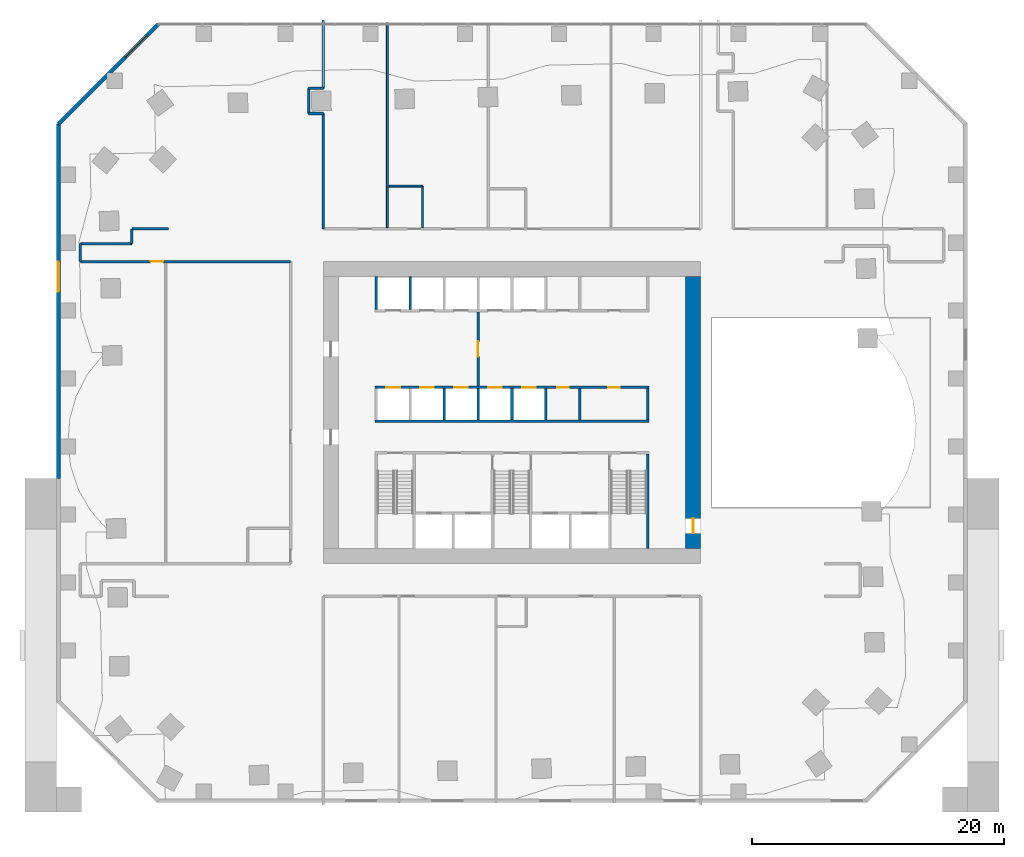
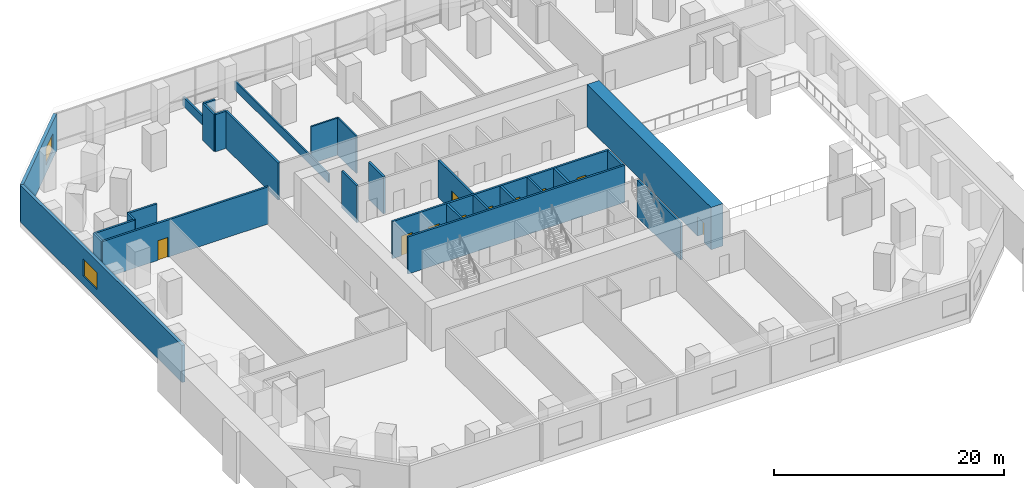
# One storey, part 7 of 12: 28 walls, 10 doors, 2 windows, 12 openings.
"""IFC4 building model written with IfcOpenShell, lengths in metres."""

from ifc_helpers import new_model, si_unit, direction, frame, frame_2d, origin, place, context, subcontext, project, spatial, rectangle, extrude, material, layer, layer_set, type_object, element, fill, save


model = new_model("IFC4")

# Units and contexts
model_context = context("Model", 3, precision=1e-05, world=origin(), true_north=direction((0.0, 1.0)))
body_context = subcontext(model_context, "Body", "Model", "MODEL_VIEW")
ifc_project = project(units=[si_unit("LENGTHUNIT", "METRE"), si_unit("AREAUNIT", "SQUARE_METRE"), si_unit("VOLUMEUNIT", "CUBIC_METRE"), si_unit("PLANEANGLEUNIT", "RADIAN"), si_unit("MASSUNIT", "GRAM", prefix="KILO")], contexts=[model_context])

# Site, building, storey
site_placement = place(None, origin())
site = spatial("IfcSite", under=ifc_project, at=site_placement, CompositionType="ELEMENT")
building_placement = place(site_placement, origin())
building = spatial("IfcBuilding", under=site, at=building_placement, Name="Mangrove Gate Tower", CompositionType="ELEMENT")
storey_placement = place(building_placement, frame((0.0, 0.0, 25.0)))
storey = spatial("IfcBuildingStorey", under=building, at=storey_placement, Name="L05", CompositionType="ELEMENT", Elevation=25.0)

# Wall, opening, door
ifc_material_1 = material(Name="Concrete C32/40", Category="concrete")
ifc_layer_1 = layer(ifc_material_1, 0.199951171875)
ifc_layer_set_1 = layer_set([ifc_layer_1], Name="Core lobby wall 200 C32/40")
wall_type_1 = type_object("IfcWallType", Name="Core lobby wall 200 C32/40", PredefinedType="STANDARD", material=ifc_layer_set_1)
wall_1_placement = place(storey_placement, frame((-2.699951171875, 2.10009765625, 0.0), z_axis=(0.0, 0.0, 1.0), x_axis=(0.0, 1.0, 0.0)))
wall_1 = element("IfcWall", 1, at=wall_1_placement, inside=storey, type_object=wall_type_1, Name="WALL-L05-CORE-35", PredefinedType="STANDARD", context=body_context, shape_type="SweptSolid", body=[
    extrude(rectangle(XDim=5.89990234375, YDim=0.199951171875, at=frame_2d((2.949951171875, 0.0))), origin(), (0.0, 0.0, 1.0), 3.949951171875),
])
opening_1_placement = place(wall_1_placement, frame((2.35009765625, 0.0, 0.0)))
opening_1 = element("IfcOpeningElement", 2, at=opening_1_placement, cuts=wall_1, Name="Opening FL12", PredefinedType="OPENING", context=body_context, shape_type="SweptSolid", body=[
    extrude(rectangle(XDim=1.199951171875, YDim=2.10009765625, at=frame_2d((0.60009765625, 1.050048828125))), frame((0.0, 0.10986328125, 0.0), z_axis=(0.0, -1.0, 0.0), x_axis=(1.0, 0.0, 0.0)), (0.0, 0.0, 1.0), 0.219970703125),
])
ifc_material_2 = material(Name="Fire-rated steel door set", Category="steel")
door_type_1 = type_object("IfcDoorType", Name="Lobby door FD60 1200x2100", OperationType="SINGLE_SWING_LEFT", PredefinedType="DOOR", material=ifc_material_2)
door_1_placement = place(opening_1_placement, origin())
door_1 = element("IfcDoor", 3, at=door_1_placement, inside=storey, type_object=door_type_1, Name="Lobby door lift lobby partition", OperationType="SINGLE_SWING_LEFT", OverallHeight=2.10009765625, OverallWidth=1.199951171875, PredefinedType="DOOR", context=body_context, shape_type="SweptSolid", body=[
    extrude(rectangle(XDim=1.199951171875, YDim=2.10009765625, at=frame_2d((0.60009765625, 1.050048828125))), frame((0.0, 0.02490234375, 0.0), z_axis=(0.0, -1.0, 0.0), x_axis=(1.0, 0.0, 0.0)), (0.0, 0.0, 1.0), 0.050048828125),
])
fill(opening_1, door_1)

# Walls
ifc_material_3 = material(Name="Concrete C32/40", Category="concrete")
ifc_layer_2 = layer(ifc_material_3, 0.199951171875)
ifc_layer_set_2 = layer_set([ifc_layer_2], Name="Core room wall 200 C32/40")
wall_type_2 = type_object("IfcWallType", Name="Core room wall 200 C32/40", PredefinedType="STANDARD", material=ifc_layer_set_2)
for number, where, z_axis, x_axis, name in (
    (4, (5.39990234375, -0.60009765625, 0.0), (0.0, 0.0, 1.0), (0.0, 1.0, 0.0), "WALL-L05-CORE-25"),
    (5, (10.800048828125, -0.60009765625, 0.0), (0.0, 0.0, 1.0), (0.0, 1.0, 0.0), "WALL-L05-CORE-26"),
):
    element("IfcWall", number, at=place(storey_placement, frame(where, z_axis=z_axis, x_axis=x_axis)), inside=storey, type_object=wall_type_2, Name=name, PredefinedType="STANDARD", context=body_context, shape_type="SweptSolid", body=[
        extrude(rectangle(XDim=2.5, YDim=0.199951171875, at=frame_2d((1.25, 0.0))), origin(), (0.0, 0.0, 1.0), 3.949951171875),
    ])
ifc_material_4 = material(Name="Concrete C70/85", Category="concrete")
ifc_layer_3 = layer(ifc_material_4, 0.199951171875)
ifc_layer_set_3 = layer_set([ifc_layer_3], Name="Core shaft wall 200 C70/85")
wall_type_3 = type_object("IfcWallType", Name="Core shaft wall 200 C70/85", PredefinedType="SHEAR", material=ifc_layer_set_3)
wall_2_placement = place(storey_placement, frame((-10.89990234375, -0.699951171875, 0.0), z_axis=(0.0, 0.0, 1.0), x_axis=(1.0, 0.0, 0.0)))
element("IfcWall", 6, at=wall_2_placement, inside=storey, type_object=wall_type_3, Name="WALL-L05-CORE-6", PredefinedType="SHEAR", context=body_context, shape_type="SweptSolid", body=[
    extrude(rectangle(XDim=21.7998046875, YDim=0.199951171875, at=frame_2d((10.89990234375, 0.0))), origin(), (0.0, 0.0, 1.0), 3.949951171875),
])

# Wall, openings, doors
wall_3_placement = place(storey_placement, frame((-10.89990234375, 2.0, 0.0), z_axis=(0.0, 0.0, 1.0), x_axis=(1.0, 0.0, 0.0)))
wall_3 = element("IfcWall", 7, at=wall_3_placement, inside=storey, type_object=wall_type_3, Name="WALL-L05-CORE-7", PredefinedType="SHEAR", context=body_context, shape_type="SweptSolid", body=[
    extrude(rectangle(XDim=21.7998046875, YDim=0.199951171875, at=frame_2d((10.89990234375, 0.0))), origin(), (0.0, 0.0, 1.0), 3.949951171875),
])
opening_2_placement = place(wall_3_placement, frame((0.89990234375, 0.0, 0.0)))
opening_2 = element("IfcOpeningElement", 8, at=opening_2_placement, cuts=wall_3, Name="Opening LD", PredefinedType="OPENING", context=body_context, shape_type="SweptSolid", body=[
    extrude(rectangle(XDim=1.10009765625, YDim=2.10009765625, at=frame_2d((0.550048828125, 1.050048828125))), frame((0.0, 0.10986328125, 0.0), z_axis=(0.0, -1.0, 0.0), x_axis=(1.0, 0.0, 0.0)), (0.0, 0.0, 1.0), 0.219970703125),
])
opening_3_placement = place(wall_3_placement, frame((3.60009765625, 0.0, 0.0)))
opening_3 = element("IfcOpeningElement", 9, at=opening_3_placement, cuts=wall_3, Name="Opening LD", PredefinedType="OPENING", context=body_context, shape_type="SweptSolid", body=[
    extrude(rectangle(XDim=1.10009765625, YDim=2.10009765625, at=frame_2d((0.550048828125, 1.050048828125))), frame((0.0, 0.10986328125, 0.0), z_axis=(0.0, -1.0, 0.0), x_axis=(1.0, 0.0, 0.0)), (0.0, 0.0, 1.0), 0.219970703125),
])
opening_4_placement = place(wall_3_placement, frame((6.300048828125, 0.0, 0.0)))
opening_4 = element("IfcOpeningElement", 10, at=opening_4_placement, cuts=wall_3, Name="Opening LD", PredefinedType="OPENING", context=body_context, shape_type="SweptSolid", body=[
    extrude(rectangle(XDim=1.10009765625, YDim=2.10009765625, at=frame_2d((0.550048828125, 1.050048828125))), frame((0.0, 0.10986328125, 0.0), z_axis=(0.0, -1.0, 0.0), x_axis=(1.0, 0.0, 0.0)), (0.0, 0.0, 1.0), 0.219970703125),
])
opening_5_placement = place(wall_3_placement, frame((9.0, 0.0, 0.0)))
opening_5 = element("IfcOpeningElement", 11, at=opening_5_placement, cuts=wall_3, Name="Opening LD", PredefinedType="OPENING", context=body_context, shape_type="SweptSolid", body=[
    extrude(rectangle(XDim=1.10009765625, YDim=2.10009765625, at=frame_2d((0.550048828125, 1.050048828125))), frame((0.0, 0.10986328125, 0.0), z_axis=(0.0, -1.0, 0.0), x_axis=(1.0, 0.0, 0.0)), (0.0, 0.0, 1.0), 0.219970703125),
])
opening_6_placement = place(wall_3_placement, frame((11.699951171875, 0.0, 0.0)))
opening_6 = element("IfcOpeningElement", 12, at=opening_6_placement, cuts=wall_3, Name="Opening LD", PredefinedType="OPENING", context=body_context, shape_type="SweptSolid", body=[
    extrude(rectangle(XDim=1.10009765625, YDim=2.10009765625, at=frame_2d((0.550048828125, 1.050048828125))), frame((0.0, 0.10986328125, 0.0), z_axis=(0.0, -1.0, 0.0), x_axis=(1.0, 0.0, 0.0)), (0.0, 0.0, 1.0), 0.219970703125),
])
opening_7_placement = place(wall_3_placement, frame((14.5, 0.0, 0.0)))
opening_7 = element("IfcOpeningElement", 13, at=opening_7_placement, cuts=wall_3, Name="Opening KD", PredefinedType="OPENING", context=body_context, shape_type="SweptSolid", body=[
    extrude(rectangle(XDim=0.89990234375, YDim=2.10009765625, at=frame_2d((0.449951171875, 1.050048828125))), frame((0.0, 0.10986328125, 0.0), z_axis=(0.0, -1.0, 0.0), x_axis=(1.0, 0.0, 0.0)), (0.0, 0.0, 1.0), 0.219970703125),
])
opening_8_placement = place(wall_3_placement, frame((18.550048828125, 0.0, 0.0)))
opening_8 = element("IfcOpeningElement", 14, at=opening_8_placement, cuts=wall_3, Name="Opening RD", PredefinedType="OPENING", context=body_context, shape_type="SweptSolid", body=[
    extrude(rectangle(XDim=0.89990234375, YDim=2.10009765625, at=frame_2d((0.449951171875, 1.050048828125))), frame((0.0, 0.10986328125, 0.0), z_axis=(0.0, -1.0, 0.0), x_axis=(1.0, 0.0, 0.0)), (0.0, 0.0, 1.0), 0.219970703125),
])
ifc_material_5 = material(Name="Fire-rated steel door set", Category="steel")
door_type_2 = type_object("IfcDoorType", Name="Core room door FD30S 900x2100", OperationType="SINGLE_SWING_RIGHT", PredefinedType="DOOR", material=ifc_material_5)
door_2_placement = place(opening_7_placement, origin())
door_2 = element("IfcDoor", 15, at=door_2_placement, inside=storey, type_object=door_type_2, Name="Core room door Refuse store", OperationType="SINGLE_SWING_RIGHT", OverallHeight=2.10009765625, OverallWidth=0.89990234375, PredefinedType="DOOR", context=body_context, shape_type="SweptSolid", body=[
    extrude(rectangle(XDim=0.89990234375, YDim=2.10009765625, at=frame_2d((0.449951171875, 1.050048828125))), frame((0.0, 0.02490234375, 0.0), z_axis=(0.0, -1.0, 0.0), x_axis=(1.0, 0.0, 0.0)), (0.0, 0.0, 1.0), 0.050048828125),
])
fill(opening_7, door_2)
ifc_material_6 = material(Name="Stainless steel 316", Category="steel")
door_type_3 = type_object("IfcDoorType", Name="Lift landing door 1100x2100", OperationType="SLIDING_TO_LEFT", PredefinedType="DOOR", material=ifc_material_6)
door_3_placement = place(opening_2_placement, origin())
door_3 = element("IfcDoor", 16, at=door_3_placement, inside=storey, type_object=door_type_3, Name="Landing door LD P01", OperationType="SLIDING_TO_LEFT", OverallHeight=2.10009765625, OverallWidth=1.10009765625, PredefinedType="DOOR", context=body_context, shape_type="SweptSolid", body=[
    extrude(rectangle(XDim=1.10009765625, YDim=2.10009765625, at=frame_2d((0.550048828125, 1.050048828125))), frame((0.0, 0.02490234375, 0.0), z_axis=(0.0, -1.0, 0.0), x_axis=(1.0, 0.0, 0.0)), (0.0, 0.0, 1.0), 0.050048828125),
])
fill(opening_2, door_3)
door_4_placement = place(opening_3_placement, origin())
door_4 = element("IfcDoor", 17, at=door_4_placement, inside=storey, type_object=door_type_3, Name="Landing door LD P02", OperationType="SLIDING_TO_LEFT", OverallHeight=2.10009765625, OverallWidth=1.10009765625, PredefinedType="DOOR", context=body_context, shape_type="SweptSolid", body=[
    extrude(rectangle(XDim=1.10009765625, YDim=2.10009765625, at=frame_2d((0.550048828125, 1.050048828125))), frame((0.0, 0.02490234375, 0.0), z_axis=(0.0, -1.0, 0.0), x_axis=(1.0, 0.0, 0.0)), (0.0, 0.0, 1.0), 0.050048828125),
])
fill(opening_3, door_4)
door_5_placement = place(opening_4_placement, origin())
door_5 = element("IfcDoor", 18, at=door_5_placement, inside=storey, type_object=door_type_3, Name="Landing door LD P03", OperationType="SLIDING_TO_LEFT", OverallHeight=2.10009765625, OverallWidth=1.10009765625, PredefinedType="DOOR", context=body_context, shape_type="SweptSolid", body=[
    extrude(rectangle(XDim=1.10009765625, YDim=2.10009765625, at=frame_2d((0.550048828125, 1.050048828125))), frame((0.0, 0.02490234375, 0.0), z_axis=(0.0, -1.0, 0.0), x_axis=(1.0, 0.0, 0.0)), (0.0, 0.0, 1.0), 0.050048828125),
])
fill(opening_4, door_5)
door_6_placement = place(opening_5_placement, origin())
door_6 = element("IfcDoor", 19, at=door_6_placement, inside=storey, type_object=door_type_3, Name="Landing door LD P04", OperationType="SLIDING_TO_LEFT", OverallHeight=2.10009765625, OverallWidth=1.10009765625, PredefinedType="DOOR", context=body_context, shape_type="SweptSolid", body=[
    extrude(rectangle(XDim=1.10009765625, YDim=2.10009765625, at=frame_2d((0.550048828125, 1.050048828125))), frame((0.0, 0.02490234375, 0.0), z_axis=(0.0, -1.0, 0.0), x_axis=(1.0, 0.0, 0.0)), (0.0, 0.0, 1.0), 0.050048828125),
])
fill(opening_5, door_6)
door_7_placement = place(opening_6_placement, origin())
door_7 = element("IfcDoor", 20, at=door_7_placement, inside=storey, type_object=door_type_3, Name="Landing door LD P05", OperationType="SLIDING_TO_LEFT", OverallHeight=2.10009765625, OverallWidth=1.10009765625, PredefinedType="DOOR", context=body_context, shape_type="SweptSolid", body=[
    extrude(rectangle(XDim=1.10009765625, YDim=2.10009765625, at=frame_2d((0.550048828125, 1.050048828125))), frame((0.0, 0.02490234375, 0.0), z_axis=(0.0, -1.0, 0.0), x_axis=(1.0, 0.0, 0.0)), (0.0, 0.0, 1.0), 0.050048828125),
])
fill(opening_6, door_7)
ifc_material_7 = material(Name="Fire-rated steel door set", Category="steel")
door_type_4 = type_object("IfcDoorType", Name="Riser door FD30S 900x2100", OperationType="SINGLE_SWING_LEFT", PredefinedType="DOOR", material=ifc_material_7)
door_8_placement = place(opening_8_placement, origin())
door_8 = element("IfcDoor", 21, at=door_8_placement, inside=storey, type_object=door_type_4, Name="Riser door Electrical room", OperationType="SINGLE_SWING_LEFT", OverallHeight=2.10009765625, OverallWidth=0.89990234375, PredefinedType="DOOR", context=body_context, shape_type="SweptSolid", body=[
    extrude(rectangle(XDim=0.89990234375, YDim=2.10009765625, at=frame_2d((0.449951171875, 1.050048828125))), frame((0.0, 0.02490234375, 0.0), z_axis=(0.0, -1.0, 0.0), x_axis=(1.0, 0.0, 0.0)), (0.0, 0.0, 1.0), 0.050048828125),
])
fill(opening_8, door_8)

# Walls
for number, where, z_axis, x_axis, name in (
    (22, (-5.39990234375, -0.60009765625, 0.0), (0.0, 0.0, 1.0), (0.0, 1.0, 0.0), "WALL-L05-CORE-21"),
    (23, (-2.699951171875, -0.60009765625, 0.0), (0.0, 0.0, 1.0), (0.0, 1.0, 0.0), "WALL-L05-CORE-22"),
    (24, (0.0, -0.60009765625, 0.0), (0.0, 0.0, 1.0), (0.0, 1.0, 0.0), "WALL-L05-CORE-23"),
    (25, (2.699951171875, -0.60009765625, 0.0), (0.0, 0.0, 1.0), (0.0, 1.0, 0.0), "WALL-L05-CORE-24"),
):
    element("IfcWall", number, at=place(storey_placement, frame(where, z_axis=z_axis, x_axis=x_axis)), inside=storey, type_object=wall_type_3, Name=name, PredefinedType="SHEAR", context=body_context, shape_type="SweptSolid", body=[
        extrude(rectangle(XDim=2.5, YDim=0.199951171875, at=frame_2d((1.25, 0.0))), origin(), (0.0, 0.0, 1.0), 3.949951171875),
    ])
for number, where, z_axis, x_axis, name in (
    (26, (-10.800048828125, 8.199951171875, 0.0), (0.0, 0.0, 1.0), (0.0, 1.0, 0.0), "WALL-L05-CORE-27"),
    (27, (-8.10009765625, 8.199951171875, 0.0), (0.0, 0.0, 1.0), (0.0, 1.0, 0.0), "WALL-L05-CORE-28"),
):
    element("IfcWall", number, at=place(storey_placement, frame(where, z_axis=z_axis, x_axis=x_axis)), inside=storey, type_object=wall_type_3, Name=name, PredefinedType="SHEAR", context=body_context, shape_type="SweptSolid", body=[
        extrude(rectangle(XDim=2.60009765625, YDim=0.199951171875, at=frame_2d((1.300048828125, 0.0))), origin(), (0.0, 0.0, 1.0), 3.949951171875),
    ])
ifc_material_8 = material(Name="Concrete C70/85", Category="concrete")
ifc_layer_4 = layer(ifc_material_8, 0.199951171875)
ifc_layer_set_4 = layer_set([ifc_layer_4], Name="Core stair wall 200 C70/85")
wall_type_4 = type_object("IfcWallType", Name="Core stair wall 200 C70/85", PredefinedType="SHEAR", material=ifc_layer_set_4)
wall_4_placement = place(storey_placement, frame((10.800048828125, -10.800048828125, 0.0), z_axis=(0.0, 0.0, 1.0), x_axis=(0.0, 1.0, 0.0)))
element("IfcWall", 28, at=wall_4_placement, inside=storey, type_object=wall_type_4, Name="WALL-L05-CORE-14", PredefinedType="SHEAR", context=body_context, shape_type="SweptSolid", body=[
    extrude(rectangle(XDim=7.5, YDim=0.199951171875, at=frame_2d((3.75, 0.0))), origin(), (0.0, 0.0, 1.0), 3.949951171875),
])

# Wall, opening, door
ifc_material_9 = material(Name="Concrete C70/85", Category="concrete")
ifc_layer_5 = layer(ifc_material_9, 1.199951171875)
ifc_layer_set_5 = layer_set([ifc_layer_5], Name="Core wall 1200 C70/85")
wall_type_5 = type_object("IfcWallType", Name="Core wall 1200 C70/85", PredefinedType="SHEAR", material=ifc_layer_set_5)
wall_5_placement = place(storey_placement, frame((14.39990234375, -10.800048828125, 0.0), z_axis=(0.0, 0.0, 1.0), x_axis=(0.0, 1.0, 0.0)))
wall_5 = element("IfcWall", 29, at=wall_5_placement, inside=storey, type_object=wall_type_5, Name="WALL-L05-CORE-4", PredefinedType="SHEAR", context=body_context, shape_type="SweptSolid", body=[
    extrude(rectangle(XDim=21.60009765625, YDim=1.199951171875, at=frame_2d((10.800048828125, 0.0))), origin(), (0.0, 0.0, 1.0), 4.5),
])
opening_9_placement = place(wall_5_placement, frame((1.199951171875, 0.0, 0.0)))
opening_9 = element("IfcOpeningElement", 30, at=opening_9_placement, cuts=wall_5, Name="Opening CD", PredefinedType="OPENING", context=body_context, shape_type="SweptSolid", body=[
    extrude(rectangle(XDim=1.199951171875, YDim=2.10009765625, at=frame_2d((0.60009765625, 1.050048828125))), frame((0.0, 0.60986328125, 0.0), z_axis=(0.0, -1.0, 0.0), x_axis=(1.0, 0.0, 0.0)), (0.0, 0.0, 1.0), 1.219970703125),
])
ifc_material_10 = material(Name="Fire-rated steel door set", Category="steel")
door_type_5 = type_object("IfcDoorType", Name="Core ring door FD60 1200x2100", OperationType="DOUBLE_DOOR_SINGLE_SWING", PredefinedType="DOOR", material=ifc_material_10)
door_9_placement = place(opening_9_placement, origin())
door_9 = element("IfcDoor", 31, at=door_9_placement, inside=storey, type_object=door_type_5, Name="Core ring door E1", OperationType="DOUBLE_DOOR_SINGLE_SWING", OverallHeight=2.10009765625, OverallWidth=1.199951171875, PredefinedType="DOOR", context=body_context, shape_type="SweptSolid", body=[
    extrude(rectangle(XDim=1.199951171875, YDim=2.10009765625, at=frame_2d((0.60009765625, 1.050048828125))), frame((0.0, 0.02490234375, 0.0), z_axis=(0.0, -1.0, 0.0), x_axis=(1.0, 0.0, 0.0)), (0.0, 0.0, 1.0), 0.050048828125),
])
fill(opening_9, door_9)

ifc_material_11 = material(Name="Gypsum board on steel stud, EI 60", Category="steel")
ifc_layer_6 = layer(ifc_material_11, 0.199951171875)
ifc_layer_set_6 = layer_set([ifc_layer_6], Name="Corridor wall EI 60")
wall_type_6 = type_object("IfcWallType", Name="Corridor wall EI 60", PredefinedType="PARTITIONING", material=ifc_layer_set_6)
wall_6_placement = place(storey_placement, frame((-34.300048828125, 12.0, 0.0), z_axis=(0.0, 0.0, 1.0), x_axis=(1.0, 0.0, 0.0)))
wall_6 = element("IfcWall", 32, at=wall_6_placement, inside=storey, type_object=wall_type_6, Name="WALL-L05-023", PredefinedType="PARTITIONING", context=body_context, shape_type="SweptSolid", body=[
    extrude(rectangle(XDim=16.699951171875, YDim=0.199951171875, at=frame_2d((8.35009765625, 0.0))), origin(), (0.0, 0.0, 1.0), 3.949951171875),
])
opening_10_placement = place(wall_6_placement, frame((5.580078125, 0.0, 0.0)))
opening_10 = element("IfcOpeningElement", 33, at=opening_10_placement, cuts=wall_6, Name="Opening AD", PredefinedType="OPENING", context=body_context, shape_type="SweptSolid", body=[
    extrude(rectangle(XDim=1.0, YDim=2.10009765625, at=frame_2d((0.5, 1.050048828125))), frame((0.0, 0.10986328125, 0.0), z_axis=(0.0, -1.0, 0.0), x_axis=(1.0, 0.0, 0.0)), (0.0, 0.0, 1.0), 0.219970703125),
])
ifc_material_12 = material(Name="Timber door leaf", Category="wood")
door_type_6 = type_object("IfcDoorType", Name="Amenity door 1000", OperationType="SINGLE_SWING_LEFT", PredefinedType="DOOR", material=ifc_material_12)
door_10_placement = place(opening_10_placement, origin())
door_10 = element("IfcDoor", 34, at=door_10_placement, inside=storey, type_object=door_type_6, Name="DOOR-L05-POD-05", OperationType="SINGLE_SWING_LEFT", OverallHeight=2.10009765625, OverallWidth=1.0, PredefinedType="DOOR", context=body_context, shape_type="SweptSolid", body=[
    extrude(rectangle(XDim=1.0, YDim=2.10009765625, at=frame_2d((0.5, 1.050048828125))), frame((0.0, 0.02490234375, 0.0), z_axis=(0.0, -1.0, 0.0), x_axis=(1.0, 0.0, 0.0)), (0.0, 0.0, 1.0), 0.050048828125),
])
fill(opening_10, door_10)

# Walls
wall_7_placement = place(storey_placement, frame((-34.300048828125, 12.0, 0.0), z_axis=(0.0, 0.0, 1.0), x_axis=(0.0, 1.0, 0.0)))
element("IfcWall", 35, at=wall_7_placement, inside=storey, type_object=wall_type_6, Name="WALL-L05-024", PredefinedType="PARTITIONING", context=body_context, shape_type="SweptSolid", body=[
    extrude(rectangle(XDim=1.423095703125, YDim=0.199951171875, at=frame_2d((0.71142578125, 0.0))), origin(), (0.0, 0.0, 1.0), 3.949951171875),
])
wall_8_placement = place(storey_placement, frame((-34.300048828125, 13.419921875, 0.0), z_axis=(0.0, 0.0, 1.0), x_axis=(1.0, 0.0, 0.0)))
element("IfcWall", 36, at=wall_8_placement, inside=storey, type_object=wall_type_6, Name="WALL-L05-031", PredefinedType="PARTITIONING", context=body_context, shape_type="SweptSolid", body=[
    extrude(rectangle(XDim=4.0849609375, YDim=0.199951171875, at=frame_2d((2.04248046875, 0.0))), origin(), (0.0, 0.0, 1.0), 3.949951171875),
])
wall_9_placement = place(storey_placement, frame((-30.2099609375, 13.423095703125, 0.0), z_axis=(0.0, 0.0, 1.0), x_axis=(0.0, 1.0, 0.0)))
element("IfcWall", 37, at=wall_9_placement, inside=storey, type_object=wall_type_6, Name="WALL-L05-032", PredefinedType="PARTITIONING", context=body_context, shape_type="SweptSolid", body=[
    extrude(rectangle(XDim=1.177001953125, YDim=0.199951171875, at=frame_2d((0.58837890625, 0.0))), origin(), (0.0, 0.0, 1.0), 3.949951171875),
])
wall_10_placement = place(storey_placement, frame((-30.215087890625, 14.60009765625, 0.0), z_axis=(0.0, 0.0, 1.0), x_axis=(1.0, 0.0, 0.0)))
element("IfcWall", 38, at=wall_10_placement, inside=storey, type_object=wall_type_6, Name="WALL-L05-033", PredefinedType="PARTITIONING", context=body_context, shape_type="SweptSolid", body=[
    extrude(rectangle(XDim=2.899169921875, YDim=0.199951171875, at=frame_2d((1.44970703125, 0.0))), origin(), (0.0, 0.0, 1.0), 3.949951171875),
])
wall_11_placement = place(storey_placement, frame((-15.0, 14.60009765625, 0.0), z_axis=(0.0, 0.0, 1.0), x_axis=(0.0, 1.0, 0.0)))
element("IfcWall", 39, at=wall_11_placement, inside=storey, type_object=wall_type_6, Name="WALL-L05-035", PredefinedType="PARTITIONING", context=body_context, shape_type="SweptSolid", body=[
    extrude(rectangle(XDim=9.173828125, YDim=0.199951171875, at=frame_2d((4.5869140625, 0.0))), origin(), (0.0, 0.0, 1.0), 3.949951171875),
])
wall_12_placement = place(storey_placement, frame((-16.153076171875, 23.77001953125, 0.0), z_axis=(0.0, 0.0, 1.0), x_axis=(1.0, 0.0, 0.0)))
element("IfcWall", 40, at=wall_12_placement, inside=storey, type_object=wall_type_6, Name="WALL-L05-047", PredefinedType="PARTITIONING", context=body_context, shape_type="SweptSolid", body=[
    extrude(rectangle(XDim=1.153076171875, YDim=0.199951171875, at=frame_2d((0.57666015625, 0.0))), origin(), (0.0, 0.0, 1.0), 3.949951171875),
])
wall_13_placement = place(storey_placement, frame((-16.14990234375, 23.77392578125, 0.0), z_axis=(0.0, 0.0, 1.0), x_axis=(0.0, 1.0, 0.0)))
element("IfcWall", 41, at=wall_13_placement, inside=storey, type_object=wall_type_6, Name="WALL-L05-048", PredefinedType="PARTITIONING", context=body_context, shape_type="SweptSolid", body=[
    extrude(rectangle(XDim=2.0, YDim=0.199951171875, at=frame_2d((1.0, 0.0))), origin(), (0.0, 0.0, 1.0), 3.949951171875),
])
wall_14_placement = place(storey_placement, frame((-16.153076171875, 25.77001953125, 0.0), z_axis=(0.0, 0.0, 1.0), x_axis=(1.0, 0.0, 0.0)))
element("IfcWall", 42, at=wall_14_placement, inside=storey, type_object=wall_type_6, Name="WALL-L05-051", PredefinedType="PARTITIONING", context=body_context, shape_type="SweptSolid", body=[
    extrude(rectangle(XDim=1.153076171875, YDim=0.199951171875, at=frame_2d((0.57666015625, 0.0))), origin(), (0.0, 0.0, 1.0), 3.949951171875),
])
wall_15_placement = place(storey_placement, frame((-15.0, 25.77392578125, 0.0), z_axis=(0.0, 0.0, 1.0), x_axis=(0.0, 1.0, 0.0)))
element("IfcWall", 43, at=wall_15_placement, inside=storey, type_object=wall_type_6, Name="WALL-L05-052", PredefinedType="PARTITIONING", context=body_context, shape_type="SweptSolid", body=[
    extrude(rectangle(XDim=5.426025390625, YDim=0.199951171875, at=frame_2d((2.712890625, 0.0))), origin(), (0.0, 0.0, 1.0), 0.93994140625),
])

# Wall, opening, window
ifc_material_13 = material(Name="Limestone", Category="masonry")
ifc_layer_7 = layer(ifc_material_13, 0.0400390625, Name="Limestone cladding")
ifc_material_14 = material(Name="Ventilated air gap")
ifc_layer_8 = layer(ifc_material_14, 0.0400390625, Name="Ventilated cavity")
ifc_material_15 = material(Name="Mineral wool insulation")
ifc_layer_9 = layer(ifc_material_15, 0.06005859375, Name="Insulation")
ifc_material_16 = material(Name="Breather membrane")
ifc_layer_10 = layer(ifc_material_16, 0.001953125, Name="Breather membrane")
ifc_material_17 = material(Name="Concrete C20/25 blockwork", Category="masonry")
ifc_layer_11 = layer(ifc_material_17, 0.14990234375, Name="Blockwork backing wall")
ifc_material_18 = material(Name="Gypsum plaster")
ifc_layer_12 = layer(ifc_material_18, 0.008056640625, Name="Internal plaster")
ifc_layer_set_7 = layer_set([ifc_layer_7, ifc_layer_8, ifc_layer_9, ifc_layer_10, ifc_layer_11, ifc_layer_12], Name="External wall 300 limestone cladding")
wall_type_7 = type_object("IfcWallType", Name="External wall 300 limestone cladding", PredefinedType="SOLIDWALL", material=ifc_layer_set_7)
wall_16_placement = place(storey_placement, frame((-28.137939453125, 30.85009765625, 0.0), z_axis=(0.0, 0.0, 1.0), x_axis=(-0.707106781187, -0.707106781187, 0.0)))
wall_16 = element("IfcWall", 44, at=wall_16_placement, inside=storey, type_object=wall_type_7, Name="WALL-L05-N4", PredefinedType="SOLIDWALL", context=body_context, shape_type="SweptSolid", body=[
    extrude(rectangle(XDim=11.189453125, YDim=0.300048828125, at=frame_2d((5.5947265625, 0.0))), origin(), (0.0, 0.0, 1.0), 3.949951171875),
])
opening_11_placement = place(wall_16_placement, frame((1.241943359375, 0.0, 0.89990234375)))
opening_11 = element("IfcOpeningElement", 45, at=opening_11_placement, cuts=wall_16, Name="Opening W3", PredefinedType="OPENING", context=body_context, shape_type="SweptSolid", body=[
    extrude(rectangle(XDim=2.39990234375, YDim=1.800048828125, at=frame_2d((1.199951171875, 0.89990234375))), frame((0.0, 0.159912109375, 0.0), z_axis=(0.0, -1.0, 0.0), x_axis=(1.0, 0.0, 0.0)), (0.0, 0.0, 1.0), 0.320068359375),
])
ifc_material_19 = material(Name="Aluminium frame with double-glazed low-e glass", Category="aluminium")
window_type = type_object("IfcWindowType", Name="Podium window 2400x1800", PartitioningType="DOUBLE_PANEL_VERTICAL", PredefinedType="WINDOW", material=ifc_material_19)
window_1_placement = place(opening_11_placement, origin())
window_1 = element("IfcWindow", 46, at=window_1_placement, inside=storey, type_object=window_type, Name="WIN-L05-N4-1", OverallHeight=1.800048828125, OverallWidth=2.39990234375, PartitioningType="DOUBLE_PANEL_VERTICAL", PredefinedType="WINDOW", context=body_context, shape_type="SweptSolid", body=[
    extrude(rectangle(XDim=2.39990234375, YDim=1.800048828125, at=frame_2d((1.199951171875, 0.89990234375))), frame((0.0, 0.030029296875, 0.0), z_axis=(0.0, -1.0, 0.0), x_axis=(1.0, 0.0, 0.0)), (0.0, 0.0, 1.0), 0.06005859375),
])
fill(opening_11, window_1)

wall_17_placement = place(storey_placement, frame((-36.050048828125, 22.93798828125, 0.0), z_axis=(0.0, 0.0, 1.0), x_axis=(0.0, -1.0, 0.0)))
wall_17 = element("IfcWall", 47, at=wall_17_placement, inside=storey, type_object=wall_type_7, Name="WALL-L05-W5", PredefinedType="SOLIDWALL", context=body_context, shape_type="SweptSolid", body=[
    extrude(rectangle(XDim=28.174072265625, YDim=0.300048828125, at=frame_2d((14.0869140625, 0.0))), origin(), (0.0, 0.0, 1.0), 3.949951171875),
])
opening_12_placement = place(wall_17_placement, frame((10.93798828125, 0.0, 0.89990234375)))
opening_12 = element("IfcOpeningElement", 48, at=opening_12_placement, cuts=wall_17, Name="Opening W3", PredefinedType="OPENING", context=body_context, shape_type="SweptSolid", body=[
    extrude(rectangle(XDim=2.39990234375, YDim=1.800048828125, at=frame_2d((1.199951171875, 0.89990234375))), frame((0.0, 0.159912109375, 0.0), z_axis=(0.0, -1.0, 0.0), x_axis=(1.0, 0.0, 0.0)), (0.0, 0.0, 1.0), 0.320068359375),
])
window_2_placement = place(opening_12_placement, origin())
window_2 = element("IfcWindow", 49, at=window_2_placement, inside=storey, type_object=window_type, Name="WIN-L05-W5-1", OverallHeight=1.800048828125, OverallWidth=2.39990234375, PartitioningType="DOUBLE_PANEL_VERTICAL", PredefinedType="WINDOW", context=body_context, shape_type="SweptSolid", body=[
    extrude(rectangle(XDim=2.39990234375, YDim=1.800048828125, at=frame_2d((1.199951171875, 0.89990234375))), frame((0.0, 0.030029296875, 0.0), z_axis=(0.0, -1.0, 0.0), x_axis=(1.0, 0.0, 0.0)), (0.0, 0.0, 1.0), 0.06005859375),
])
fill(opening_12, window_2)

# Walls
ifc_material_20 = material(Name="Gypsum board on steel stud, EI 60", Category="steel")
ifc_layer_13 = layer(ifc_material_20, 0.14990234375)
ifc_layer_set_8 = layer_set([ifc_layer_13], Name="Party wall 150 EI 60")
wall_type_8 = type_object("IfcWallType", Name="Party wall 150 EI 60", PredefinedType="PARTITIONING", material=ifc_layer_set_8)
wall_18_placement = place(storey_placement, frame((-9.909912109375, 14.699951171875, 0.0), z_axis=(0.0, 0.0, 1.0), x_axis=(0.0, 1.0, 0.0)))
element("IfcWall", 50, at=wall_18_placement, inside=storey, type_object=wall_type_8, Name="WALL-L05-036", PredefinedType="PARTITIONING", context=body_context, shape_type="SweptSolid", body=[
    extrude(rectangle(XDim=16.300048828125, YDim=0.14990234375, at=frame_2d((8.14990234375, 0.0))), origin(), (0.0, 0.0, 1.0), 0.93994140625),
])
wall_19_placement = place(storey_placement, frame((-7.110107421875, 14.699951171875, 0.0), z_axis=(0.0, 0.0, 1.0), x_axis=(0.0, 1.0, 0.0)))
element("IfcWall", 51, at=wall_19_placement, inside=storey, type_object=wall_type_8, Name="WALL-L05-037", PredefinedType="PARTITIONING", context=body_context, shape_type="SweptSolid", body=[
    extrude(rectangle(XDim=3.300048828125, YDim=0.14990234375, at=frame_2d((1.64990234375, 0.0))), origin(), (0.0, 0.0, 1.0), 3.949951171875),
])
wall_20_placement = place(storey_placement, frame((-9.8349609375, 18.0, 0.0), z_axis=(0.0, 0.0, 1.0), x_axis=(1.0, 0.0, 0.0)))
element("IfcWall", 52, at=wall_20_placement, inside=storey, type_object=wall_type_8, Name="WALL-L05-046", PredefinedType="PARTITIONING", context=body_context, shape_type="SweptSolid", body=[
    extrude(rectangle(XDim=2.724853515625, YDim=0.14990234375, at=frame_2d((1.3623046875, 0.0))), origin(), (0.0, 0.0, 1.0), 3.949951171875),
])

save(model, "model.ifc")
